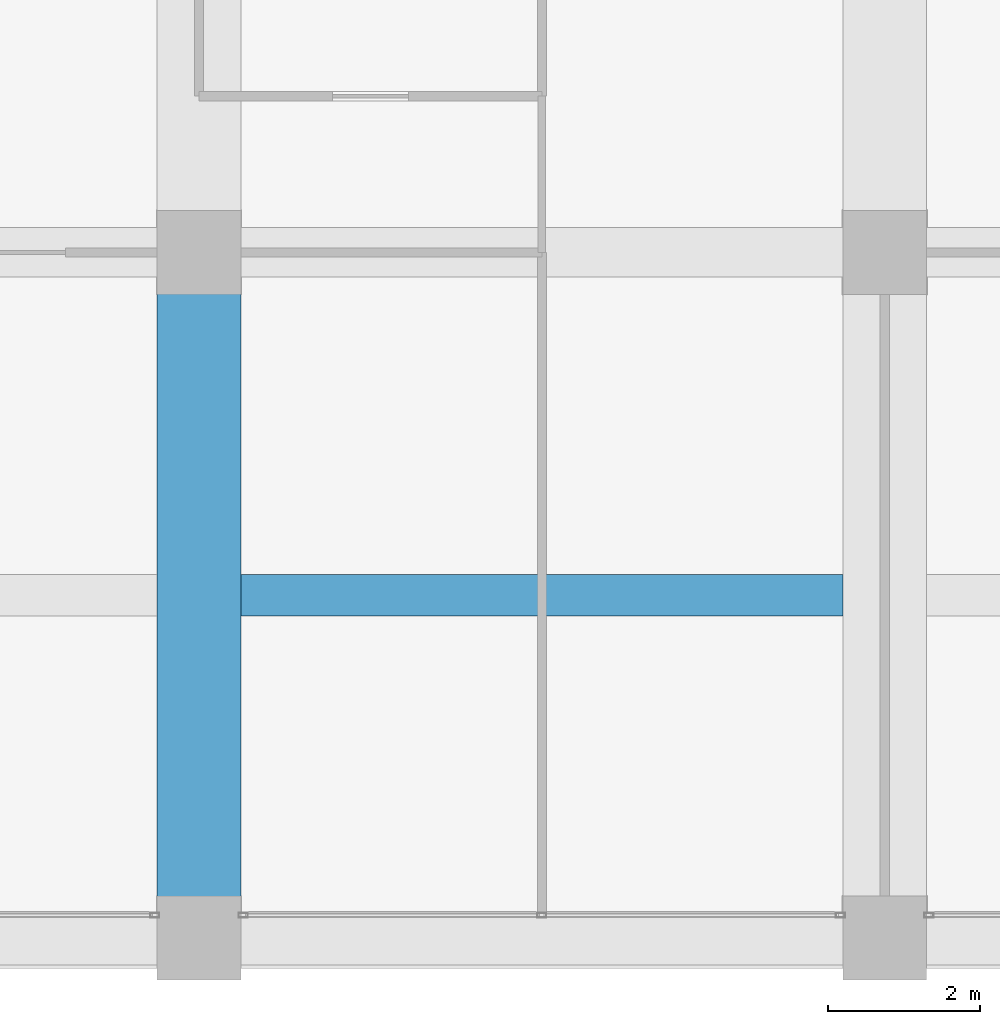
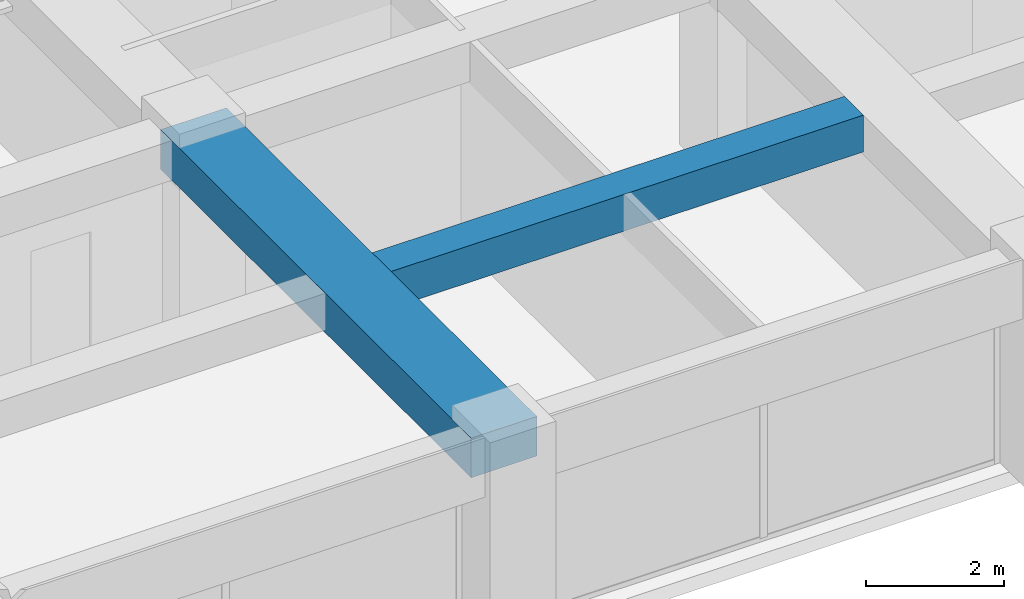
# One storey, part 10 of 45: 2 beams.
"""IFC4 building model written with IfcOpenShell, lengths in metres."""

import ifcopenshell
import ifcopenshell.guid

model = None  # the IFC model being written
_history = None  # IfcOwnerHistory: only IFC2X3 demands one
_inside = {}  # id of a spatial element -> (the spatial element, [elements in it])
_under = {}  # id of a project, library or spatial element -> (it, [spatial elements below it])
_declared = {}  # id of a project -> (the project, [libraries it declares])
_typed = {}  # id of a type object -> (the type object, [elements of that type])
_made_of = {}  # id of a material, layer set ... -> (it, [elements and type objects made of it])


def new_model(schema):
    """Start an empty IFC model of exactly this schema.

    Asked for "IFC4X3", IfcOpenShell would pick the latest addendum, in which some entities
    have other attributes; the version numbers below select the first issue.
    IFC2X3 requires an IfcOwnerHistory on every rooted entity: one is made here for all.
    """
    global model, _history
    if schema == "IFC4X3":
        model = ifcopenshell.file(schema_version=(4, 3, 0, 0))
    else:
        model = ifcopenshell.file(schema=schema)
    _inside.clear()
    _under.clear()
    _declared.clear()
    _typed.clear()
    _made_of.clear()
    _history = None
    if model.schema == "IFC2X3":
        org = make("IfcOrganization", Name="unknown")
        user = make(
            "IfcPersonAndOrganization",
            ThePerson=make("IfcPerson", FamilyName="unknown"),
            TheOrganization=org,
        )
        app = make(
            "IfcApplication",
            ApplicationDeveloper=org,
            Version="unknown",
            ApplicationFullName="unknown",
            ApplicationIdentifier="unknown",
        )
        _history = make(
            "IfcOwnerHistory",
            OwningUser=user,
            OwningApplication=app,
            ChangeAction="ADDED",
            CreationDate=0,
        )
    return model


def make(cls, **values):
    """One entity of the class cls with the attributes given. An attribute that is None is left unset."""
    return model.create_entity(
        cls, **{name: value for name, value in values.items() if value is not None}
    )


def rooted(cls, **values):
    """An entity with a GlobalId (a new one), such as an element, a storey or a relation."""
    return make(cls, GlobalId=ifcopenshell.guid.new(), OwnerHistory=_history, **values)


def si_unit(unit_type, name, prefix=None):
    """IfcSIUnit, for example si_unit("LENGTHUNIT", "METRE", prefix="MILLI")."""
    return make("IfcSIUnit", UnitType=unit_type, Prefix=prefix, Name=name)


def assignment(units):
    """IfcUnitAssignment: the units of a project."""
    return None if units is None else make("IfcUnitAssignment", Units=units)


def point(xyz):
    """IfcCartesianPoint."""
    return None if xyz is None else make("IfcCartesianPoint", Coordinates=xyz)


def direction(xyz):
    """IfcDirection."""
    return None if xyz is None else make("IfcDirection", DirectionRatios=xyz)


def frame(location, z_axis=None, x_axis=None):
    """IfcAxis2Placement3D, a coordinate frame: its origin and axes. An axis left out is left unset."""
    return make(
        "IfcAxis2Placement3D",
        Location=point(location),
        Axis=direction(z_axis),
        RefDirection=direction(x_axis),
    )


def frame_2d(location, x_axis=None):
    """IfcAxis2Placement2D, a coordinate frame in the plane: its origin and x axis."""
    return make(
        "IfcAxis2Placement2D", Location=point(location), RefDirection=direction(x_axis)
    )


def origin():
    """The frame at (0, 0, 0) with its axes left unset."""
    return frame((0.0, 0.0, 0.0))


def origin_2d():
    """The frame at (0, 0) in the plane with its x axis left unset."""
    return frame_2d((0.0, 0.0))


def place(relative_to, where):
    """IfcLocalPlacement: puts the frame where relative to a parent placement (None: the world)."""
    return make(
        "IfcLocalPlacement", PlacementRelTo=relative_to, RelativePlacement=where
    )


def context(
    kind, dimensions, precision=None, world=None, true_north=None, identifier=None
):
    """IfcGeometricRepresentationContext, for example the 3D "Model" context."""
    return make(
        "IfcGeometricRepresentationContext",
        ContextIdentifier=identifier,
        ContextType=kind,
        CoordinateSpaceDimension=dimensions,
        Precision=precision,
        WorldCoordinateSystem=world,
        TrueNorth=true_north,
    )


def subcontext(parent, identifier, kind, view, scale=None):
    """IfcGeometricRepresentationSubContext, for example "Body" below "Model"."""
    return make(
        "IfcGeometricRepresentationSubContext",
        ContextIdentifier=identifier,
        ContextType=kind,
        ParentContext=parent,
        TargetScale=scale,
        TargetView=view,
    )


def project(units=None, contexts=None):
    """IfcProject with its units and contexts."""
    return rooted(
        "IfcProject",
        Name="project",
        RepresentationContexts=contexts,
        UnitsInContext=assignment(units),
    )


def spatial(cls, under=None, at=None, **own):
    """A site, building, storey or space (cls), placed at a placement, below another one or the project."""
    s = rooted(cls, ObjectPlacement=at, **own)
    if under is not None:
        _under.setdefault(under.id(), (under, []))[1].append(s)
    return s


def profile(cls, at=None, kind="AREA", **sizes):
    """A parametric profile (cls). Its sizes go by their IFC names, for example OverallWidth=200.0."""
    return make(cls, ProfileType=kind, Position=at, **sizes)


def rectangle(**sizes):
    """IfcRectangleProfileDef."""
    return profile("IfcRectangleProfileDef", **sizes)


def extrude(swept, where, along, depth):
    """IfcExtrudedAreaSolid: the profile swept, set in the frame where, extruded along a direction by depth."""
    return make(
        "IfcExtrudedAreaSolid",
        SweptArea=swept,
        Position=where,
        ExtrudedDirection=direction(along),
        Depth=depth,
    )


def shape(context_of_items, identifier, shape_type, items):
    """IfcShapeRepresentation: the items that make up one representation, for example the "Body"."""
    return make(
        "IfcShapeRepresentation",
        ContextOfItems=context_of_items,
        RepresentationIdentifier=identifier,
        RepresentationType=shape_type,
        Items=items,
    )


def material(Name=None, Category=None):
    """IfcMaterial."""
    return make("IfcMaterial", Name=Name, Category=Category)


def material_profile(
    of_material, cross_section, Name=None, Category=None, Priority=None
):
    """IfcMaterialProfile: a cross section and its material."""
    return make(
        "IfcMaterialProfile",
        Name=Name,
        Material=of_material,
        Profile=cross_section,
        Priority=Priority,
        Category=Category,
    )


def profile_set(profiles, Name=None, composite=None):
    """IfcMaterialProfileSet."""
    return make(
        "IfcMaterialProfileSet",
        Name=Name,
        MaterialProfiles=profiles,
        CompositeProfile=composite,
    )


def made_of(thing, what):
    """Note that an element or type object is made of a material, layer set ...; save() writes the relation."""
    if what is not None:
        _made_of.setdefault(what.id(), (what, []))[1].append(thing)
    return thing


def type_object(cls, material=None, **own):
    """A type object (cls), such as IfcWallType, which elements share."""
    return made_of(rooted(cls, **own), material)


def element(
    cls,
    number,
    at=None,
    inside=None,
    cuts=None,
    type_object=None,
    material=None,
    context=None,
    identifier="Body",
    shape_type=None,
    held_by="IfcProductDefinitionShape",
    body=None,
    shapes=None,
    **own,
):
    """One element of the class cls, such as IfcWall. Its Tag is "e" and its number.

    at: its placement. inside: the storey or other place that contains it. cuts: it is an
    opening in that element (IfcRelVoidsElement). A single representation is given by context,
    identifier, shape_type and body (its items); several are given by shapes. held_by: the class
    of the entity that holds the representations. save() writes the other relations.
    """
    e = rooted(cls, Tag="e%d" % number, ObjectPlacement=at, **own)
    if body is not None:
        shapes = [shape(context, identifier, shape_type, body)]
    if shapes is not None:
        e.Representation = make(held_by, Representations=shapes)
    if inside is not None:
        _inside.setdefault(inside.id(), (inside, []))[1].append(e)
    if cuts is not None:
        rooted(
            "IfcRelVoidsElement", RelatingBuildingElement=cuts, RelatedOpeningElement=e
        )
    if type_object is not None:
        _typed.setdefault(type_object.id(), (type_object, []))[1].append(e)
    return made_of(e, material)


def aggregate(whole, parts):
    """IfcRelAggregates: a whole, such as a stair, and the parts it consists of."""
    return rooted("IfcRelAggregates", RelatingObject=whole, RelatedObjects=parts)


def save(model, path):
    """Write the relations noted so far, then the file.

    IfcRelAggregates (storeys below a building ...), IfcRelContainedInSpatialStructure (elements
    in a storey), IfcRelDefinesByType, IfcRelAssociatesMaterial and IfcRelDeclares: one each for
    every whole, place, type object, material and project.
    """
    for whole, parts in _under.values():
        aggregate(whole, parts)
    for where, things in _inside.values():
        rooted(
            "IfcRelContainedInSpatialStructure",
            RelatedElements=things,
            RelatingStructure=where,
        )
    for kind, things in _typed.values():
        rooted("IfcRelDefinesByType", RelatedObjects=things, RelatingType=kind)
    for what, things in _made_of.values():
        rooted("IfcRelAssociatesMaterial", RelatedObjects=things, RelatingMaterial=what)
    for by, libraries in _declared.values():
        rooted("IfcRelDeclares", RelatingContext=by, RelatedDefinitions=libraries)
    model.write(path)


model = new_model("IFC4")

# Units and contexts
model_context = context("Model", 3, precision=1e-05, world=origin(), true_north=direction((0.0, 1.0)))
body_context = subcontext(model_context, "Body", "Model", "MODEL_VIEW")
ifc_project = project(units=[si_unit("LENGTHUNIT", "METRE"), si_unit("AREAUNIT", "SQUARE_METRE"), si_unit("VOLUMEUNIT", "CUBIC_METRE"), si_unit("PLANEANGLEUNIT", "RADIAN"), si_unit("MASSUNIT", "GRAM", prefix="KILO")], contexts=[model_context])

# Site, building, storey
site_placement = place(None, origin())
site = spatial("IfcSite", under=ifc_project, at=site_placement, CompositionType="ELEMENT")
building_placement = place(site_placement, origin())
building = spatial("IfcBuilding", under=site, at=building_placement, Name="Zorevar Civic Tower", CompositionType="ELEMENT")
storey_placement = place(building_placement, frame((0.0, 0.0, 279.39990234375)))
storey = spatial("IfcBuildingStorey", under=building, at=storey_placement, Name="L68", CompositionType="ELEMENT", Elevation=279.39990234375)

# Beams
ifc_material_1 = material(Name="Concrete C50/60", Category="concrete")
ifc_material_profile_1 = material_profile(ifc_material_1, rectangle(XDim=1.10009765625, YDim=0.699951171875, at=origin_2d()), Name="RC 1100x700")
ifc_profile_set_1 = profile_set([ifc_material_profile_1], Name="Concrete C50/60")
beam_type_1 = type_object("IfcBeamType", Name="Beam RC 1100x700", PredefinedType="BEAM", material=ifc_profile_set_1)
beam_1_placement = place(storey_placement, frame((27.0, 0.0, 3.400146484375), z_axis=(0.0, 1.0, 0.0), x_axis=(-1.0, 0.0, 0.0)))
element("IfcBeam", 1, at=beam_1_placement, inside=storey, type_object=beam_type_1, Name="Girder L69", PredefinedType="BEAM", context=body_context, shape_type="SweptSolid", body=[
    extrude(rectangle(XDim=1.10009765625, YDim=0.699951171875, at=origin_2d()), origin(), (0.0, 0.0, 1.0), 9.0),
])
ifc_material_2 = material(Name="Concrete C50/60", Category="concrete")
ifc_material_profile_2 = material_profile(ifc_material_2, rectangle(XDim=0.550048828125, YDim=0.64990234375, at=origin_2d()), Name="RC 550x650")
ifc_profile_set_2 = profile_set([ifc_material_profile_2], Name="Concrete C50/60")
beam_type_2 = type_object("IfcBeamType", Name="Beam RC 550x650", PredefinedType="BEAM", material=ifc_profile_set_2)
beam_2_placement = place(storey_placement, frame((27.550048828125, 4.5, 3.425048828125), z_axis=(1.0, 0.0, 0.0), x_axis=(0.0, 1.0, 0.0)))
element("IfcBeam", 2, at=beam_2_placement, inside=storey, type_object=beam_type_2, Name="Secondary beam L69", PredefinedType="BEAM", context=body_context, shape_type="SweptSolid", body=[
    extrude(rectangle(XDim=0.550048828125, YDim=0.64990234375, at=origin_2d()), origin(), (0.0, 0.0, 1.0), 7.89990234375),
])

save(model, "model.ifc")
